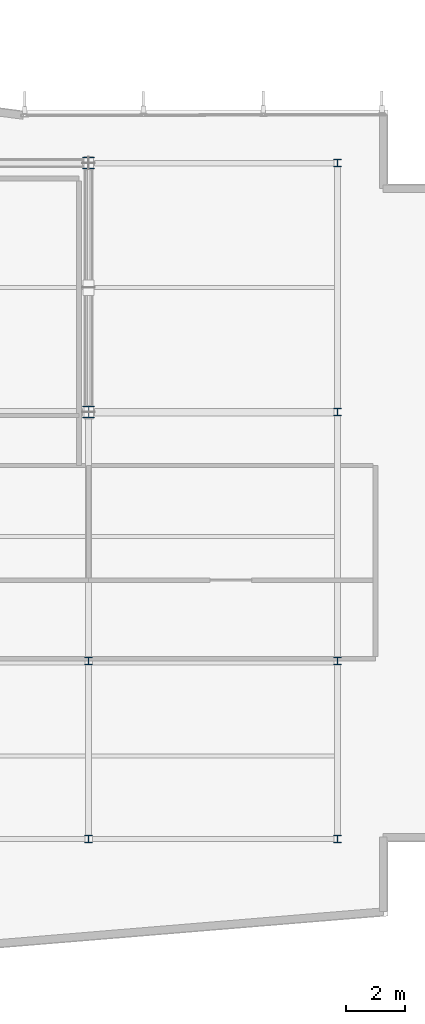
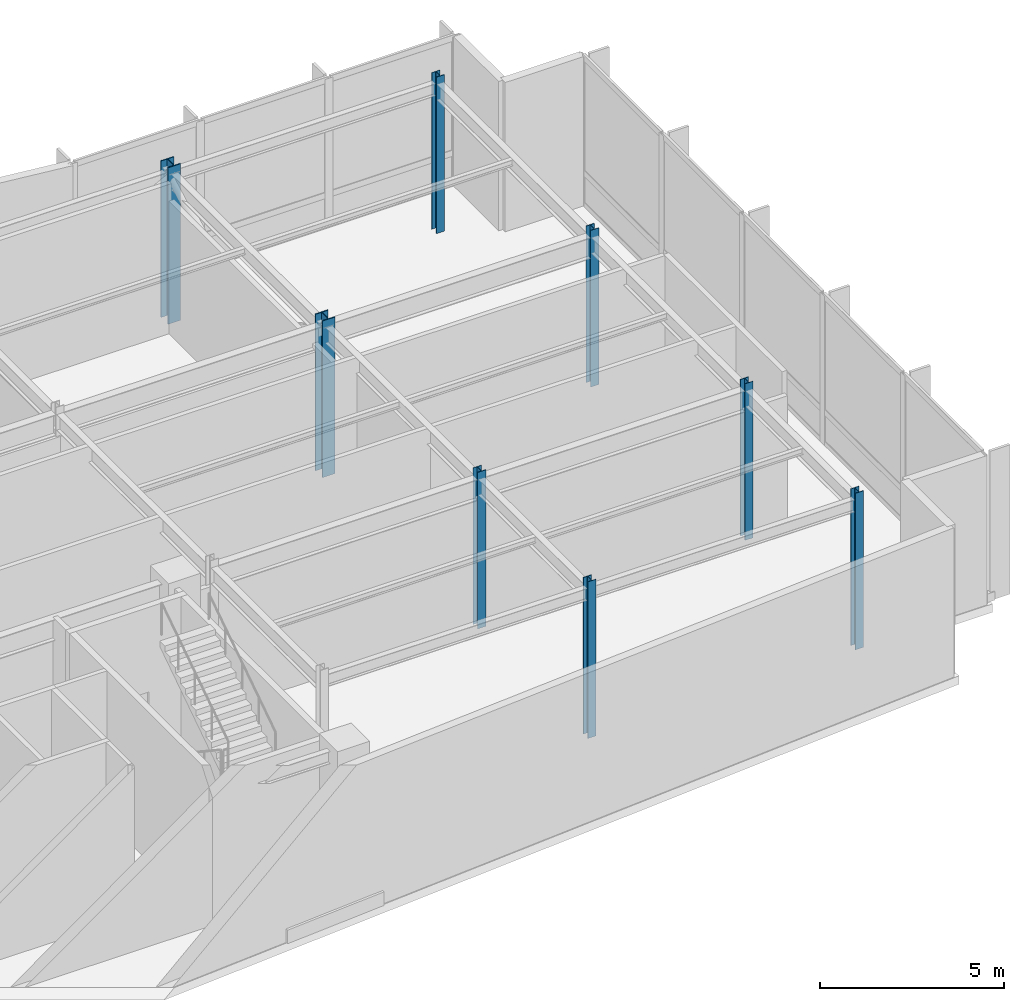
# One storey, part 2 of 15: 8 columns.
"""IFC4 building model written with IfcOpenShell, lengths in metres."""

import ifcopenshell
import ifcopenshell.guid

model = None  # the IFC model being written
_history = None  # IfcOwnerHistory: only IFC2X3 demands one
_inside = {}  # id of a spatial element -> (the spatial element, [elements in it])
_under = {}  # id of a project, library or spatial element -> (it, [spatial elements below it])
_declared = {}  # id of a project -> (the project, [libraries it declares])
_typed = {}  # id of a type object -> (the type object, [elements of that type])
_made_of = {}  # id of a material, layer set ... -> (it, [elements and type objects made of it])


def new_model(schema):
    """Start an empty IFC model of exactly this schema.

    Asked for "IFC4X3", IfcOpenShell would pick the latest addendum, in which some entities
    have other attributes; the version numbers below select the first issue.
    IFC2X3 requires an IfcOwnerHistory on every rooted entity: one is made here for all.
    """
    global model, _history
    if schema == "IFC4X3":
        model = ifcopenshell.file(schema_version=(4, 3, 0, 0))
    else:
        model = ifcopenshell.file(schema=schema)
    _inside.clear()
    _under.clear()
    _declared.clear()
    _typed.clear()
    _made_of.clear()
    _history = None
    if model.schema == "IFC2X3":
        org = make("IfcOrganization", Name="unknown")
        user = make(
            "IfcPersonAndOrganization",
            ThePerson=make("IfcPerson", FamilyName="unknown"),
            TheOrganization=org,
        )
        app = make(
            "IfcApplication",
            ApplicationDeveloper=org,
            Version="unknown",
            ApplicationFullName="unknown",
            ApplicationIdentifier="unknown",
        )
        _history = make(
            "IfcOwnerHistory",
            OwningUser=user,
            OwningApplication=app,
            ChangeAction="ADDED",
            CreationDate=0,
        )
    return model


def make(cls, **values):
    """One entity of the class cls with the attributes given. An attribute that is None is left unset."""
    return model.create_entity(
        cls, **{name: value for name, value in values.items() if value is not None}
    )


def rooted(cls, **values):
    """An entity with a GlobalId (a new one), such as an element, a storey or a relation."""
    return make(cls, GlobalId=ifcopenshell.guid.new(), OwnerHistory=_history, **values)


def si_unit(unit_type, name, prefix=None):
    """IfcSIUnit, for example si_unit("LENGTHUNIT", "METRE", prefix="MILLI")."""
    return make("IfcSIUnit", UnitType=unit_type, Prefix=prefix, Name=name)


def assignment(units):
    """IfcUnitAssignment: the units of a project."""
    return None if units is None else make("IfcUnitAssignment", Units=units)


def point(xyz):
    """IfcCartesianPoint."""
    return None if xyz is None else make("IfcCartesianPoint", Coordinates=xyz)


def direction(xyz):
    """IfcDirection."""
    return None if xyz is None else make("IfcDirection", DirectionRatios=xyz)


def frame(location, z_axis=None, x_axis=None):
    """IfcAxis2Placement3D, a coordinate frame: its origin and axes. An axis left out is left unset."""
    return make(
        "IfcAxis2Placement3D",
        Location=point(location),
        Axis=direction(z_axis),
        RefDirection=direction(x_axis),
    )


def frame_2d(location, x_axis=None):
    """IfcAxis2Placement2D, a coordinate frame in the plane: its origin and x axis."""
    return make(
        "IfcAxis2Placement2D", Location=point(location), RefDirection=direction(x_axis)
    )


def origin():
    """The frame at (0, 0, 0) with its axes left unset."""
    return frame((0.0, 0.0, 0.0))


def origin_2d():
    """The frame at (0, 0) in the plane with its x axis left unset."""
    return frame_2d((0.0, 0.0))


def place(relative_to, where):
    """IfcLocalPlacement: puts the frame where relative to a parent placement (None: the world)."""
    return make(
        "IfcLocalPlacement", PlacementRelTo=relative_to, RelativePlacement=where
    )


def context(
    kind, dimensions, precision=None, world=None, true_north=None, identifier=None
):
    """IfcGeometricRepresentationContext, for example the 3D "Model" context."""
    return make(
        "IfcGeometricRepresentationContext",
        ContextIdentifier=identifier,
        ContextType=kind,
        CoordinateSpaceDimension=dimensions,
        Precision=precision,
        WorldCoordinateSystem=world,
        TrueNorth=true_north,
    )


def subcontext(parent, identifier, kind, view, scale=None):
    """IfcGeometricRepresentationSubContext, for example "Body" below "Model"."""
    return make(
        "IfcGeometricRepresentationSubContext",
        ContextIdentifier=identifier,
        ContextType=kind,
        ParentContext=parent,
        TargetScale=scale,
        TargetView=view,
    )


def project(units=None, contexts=None):
    """IfcProject with its units and contexts."""
    return rooted(
        "IfcProject",
        Name="project",
        RepresentationContexts=contexts,
        UnitsInContext=assignment(units),
    )


def spatial(cls, under=None, at=None, **own):
    """A site, building, storey or space (cls), placed at a placement, below another one or the project."""
    s = rooted(cls, ObjectPlacement=at, **own)
    if under is not None:
        _under.setdefault(under.id(), (under, []))[1].append(s)
    return s


def profile(cls, at=None, kind="AREA", **sizes):
    """A parametric profile (cls). Its sizes go by their IFC names, for example OverallWidth=200.0."""
    return make(cls, ProfileType=kind, Position=at, **sizes)


def i_section(**sizes):
    """IfcIShapeProfileDef."""
    return profile("IfcIShapeProfileDef", **sizes)


def extrude(swept, where, along, depth):
    """IfcExtrudedAreaSolid: the profile swept, set in the frame where, extruded along a direction by depth."""
    return make(
        "IfcExtrudedAreaSolid",
        SweptArea=swept,
        Position=where,
        ExtrudedDirection=direction(along),
        Depth=depth,
    )


def shape(context_of_items, identifier, shape_type, items):
    """IfcShapeRepresentation: the items that make up one representation, for example the "Body"."""
    return make(
        "IfcShapeRepresentation",
        ContextOfItems=context_of_items,
        RepresentationIdentifier=identifier,
        RepresentationType=shape_type,
        Items=items,
    )


def material(Name=None, Category=None):
    """IfcMaterial."""
    return make("IfcMaterial", Name=Name, Category=Category)


def material_profile(
    of_material, cross_section, Name=None, Category=None, Priority=None
):
    """IfcMaterialProfile: a cross section and its material."""
    return make(
        "IfcMaterialProfile",
        Name=Name,
        Material=of_material,
        Profile=cross_section,
        Priority=Priority,
        Category=Category,
    )


def profile_set(profiles, Name=None, composite=None):
    """IfcMaterialProfileSet."""
    return make(
        "IfcMaterialProfileSet",
        Name=Name,
        MaterialProfiles=profiles,
        CompositeProfile=composite,
    )


def made_of(thing, what):
    """Note that an element or type object is made of a material, layer set ...; save() writes the relation."""
    if what is not None:
        _made_of.setdefault(what.id(), (what, []))[1].append(thing)
    return thing


def type_object(cls, material=None, **own):
    """A type object (cls), such as IfcWallType, which elements share."""
    return made_of(rooted(cls, **own), material)


def element(
    cls,
    number,
    at=None,
    inside=None,
    cuts=None,
    type_object=None,
    material=None,
    context=None,
    identifier="Body",
    shape_type=None,
    held_by="IfcProductDefinitionShape",
    body=None,
    shapes=None,
    **own,
):
    """One element of the class cls, such as IfcWall. Its Tag is "e" and its number.

    at: its placement. inside: the storey or other place that contains it. cuts: it is an
    opening in that element (IfcRelVoidsElement). A single representation is given by context,
    identifier, shape_type and body (its items); several are given by shapes. held_by: the class
    of the entity that holds the representations. save() writes the other relations.
    """
    e = rooted(cls, Tag="e%d" % number, ObjectPlacement=at, **own)
    if body is not None:
        shapes = [shape(context, identifier, shape_type, body)]
    if shapes is not None:
        e.Representation = make(held_by, Representations=shapes)
    if inside is not None:
        _inside.setdefault(inside.id(), (inside, []))[1].append(e)
    if cuts is not None:
        rooted(
            "IfcRelVoidsElement", RelatingBuildingElement=cuts, RelatedOpeningElement=e
        )
    if type_object is not None:
        _typed.setdefault(type_object.id(), (type_object, []))[1].append(e)
    return made_of(e, material)


def aggregate(whole, parts):
    """IfcRelAggregates: a whole, such as a stair, and the parts it consists of."""
    return rooted("IfcRelAggregates", RelatingObject=whole, RelatedObjects=parts)


def save(model, path):
    """Write the relations noted so far, then the file.

    IfcRelAggregates (storeys below a building ...), IfcRelContainedInSpatialStructure (elements
    in a storey), IfcRelDefinesByType, IfcRelAssociatesMaterial and IfcRelDeclares: one each for
    every whole, place, type object, material and project.
    """
    for whole, parts in _under.values():
        aggregate(whole, parts)
    for where, things in _inside.values():
        rooted(
            "IfcRelContainedInSpatialStructure",
            RelatedElements=things,
            RelatingStructure=where,
        )
    for kind, things in _typed.values():
        rooted("IfcRelDefinesByType", RelatedObjects=things, RelatingType=kind)
    for what, things in _made_of.values():
        rooted("IfcRelAssociatesMaterial", RelatedObjects=things, RelatingMaterial=what)
    for by, libraries in _declared.values():
        rooted("IfcRelDeclares", RelatingContext=by, RelatedDefinitions=libraries)
    model.write(path)


model = new_model("IFC4")

# Units and contexts
model_context = context("Model", 3, precision=1e-05, world=origin(), true_north=direction((0.0, 1.0)))
body_context = subcontext(model_context, "Body", "Model", "MODEL_VIEW")
ifc_project = project(units=[si_unit("LENGTHUNIT", "METRE"), si_unit("AREAUNIT", "SQUARE_METRE"), si_unit("VOLUMEUNIT", "CUBIC_METRE"), si_unit("PLANEANGLEUNIT", "RADIAN"), si_unit("MASSUNIT", "GRAM", prefix="KILO")], contexts=[model_context])

# Site, building, storey
site_placement = place(None, origin())
site = spatial("IfcSite", under=ifc_project, at=site_placement, CompositionType="ELEMENT")
building_placement = place(site_placement, origin())
building = spatial("IfcBuilding", under=site, at=building_placement, Name="Varnakote Quay Hospital", CompositionType="ELEMENT")
storey_placement = place(building_placement, frame((0.0, 0.0, 235.550048828125)))
storey = spatial("IfcBuildingStorey", under=building, at=storey_placement, Name="L58", CompositionType="ELEMENT", Elevation=235.550048828125)

# Columns
ifc_material_1 = material(Name="Structural steel AS/NZS 3679.1 Grade 350 L0 (fy 340 MPa)", Category="steel")
ifc_material_profile_1 = material_profile(ifc_material_1, i_section(OverallWidth=0.256103515625, OverallDepth=0.260009765625, WebThickness=0.010498046875, FlangeThickness=0.017333984375, FilletRadius=0.0126953125, at=origin_2d()), Name="250UC89.5")
ifc_profile_set_1 = profile_set([ifc_material_profile_1], Name="Structural steel AS/NZS 3679.1 Grade 350 L0 (fy 340 MPa)")
column_type_1 = type_object("IfcColumnType", Name="COL-STL-250UC89-5", PredefinedType="COLUMN", material=ifc_profile_set_1)
for number, where, z_axis, x_axis, name in (
    (1, (33.60009765625, 6.0, 0.0), (0.0, 0.0, 1.0), (1.0, 0.0, 0.0), "L58 Structural Column C-34-6"),
    (2, (42.0, 6.0, 0.0), (0.0, 0.0, 1.0), (1.0, 0.0, 0.0), "L58 Structural Column C-42-6"),
    (3, (33.60009765625, 12.0, 0.0), (0.0, 0.0, 1.0), (1.0, 0.0, 0.0), "L58 Structural Column C-34-12"),
    (4, (42.0, 12.0, 0.0), (0.0, 0.0, 1.0), (1.0, 0.0, 0.0), "L58 Structural Column C-42-12"),
    (5, (42.0, 20.39990234375, 0.0), (0.0, 0.0, 1.0), (1.0, 0.0, 0.0), "L58 Structural Column C-42-20"),
    (6, (42.0, 28.800048828125, 0.0), (0.0, 0.0, 1.0), (1.0, 0.0, 0.0), "L58 Structural Column C-42-29"),
):
    element("IfcColumn", number, at=place(storey_placement, frame(where, z_axis=z_axis, x_axis=x_axis)), inside=storey, type_object=column_type_1, Name=name, PredefinedType="COLUMN", context=body_context, shape_type="SweptSolid", body=[
        extrude(i_section(OverallWidth=0.256103515625, OverallDepth=0.260009765625, WebThickness=0.010498046875, FlangeThickness=0.017333984375, FilletRadius=0.0126953125, at=origin_2d()), origin(), (0.0, 0.0, 1.0), 5.199951171875),
    ])
ifc_material_2 = material(Name="Structural steel AS/NZS 3678 Grade 350 (fy 340 MPa)", Category="steel")
ifc_material_profile_2 = material_profile(ifc_material_2, i_section(OverallWidth=0.39990234375, OverallDepth=0.404052734375, WebThickness=0.02001953125, FlangeThickness=0.031982421875, at=origin_2d()), Name="400WC270")
ifc_profile_set_2 = profile_set([ifc_material_profile_2], Name="Structural steel AS/NZS 3678 Grade 350 (fy 340 MPa)")
column_type_2 = type_object("IfcColumnType", Name="COL-STL-400WC270", PredefinedType="COLUMN", material=ifc_profile_set_2)
for number, where, z_axis, x_axis, name in (
    (7, (33.60009765625, 20.39990234375, 0.0), (0.0, 0.0, 1.0), (1.0, 0.0, 0.0), "L58 Structural Column C-34-20"),
    (8, (33.60009765625, 28.800048828125, 0.0), (0.0, 0.0, 1.0), (1.0, 0.0, 0.0), "L58 Structural Column C-34-29"),
):
    element("IfcColumn", number, at=place(storey_placement, frame(where, z_axis=z_axis, x_axis=x_axis)), inside=storey, type_object=column_type_2, Name=name, PredefinedType="COLUMN", context=body_context, shape_type="SweptSolid", body=[
        extrude(i_section(OverallWidth=0.39990234375, OverallDepth=0.404052734375, WebThickness=0.02001953125, FlangeThickness=0.031982421875, at=origin_2d()), origin(), (0.0, 0.0, 1.0), 5.199951171875),
    ])

save(model, "model.ifc")
